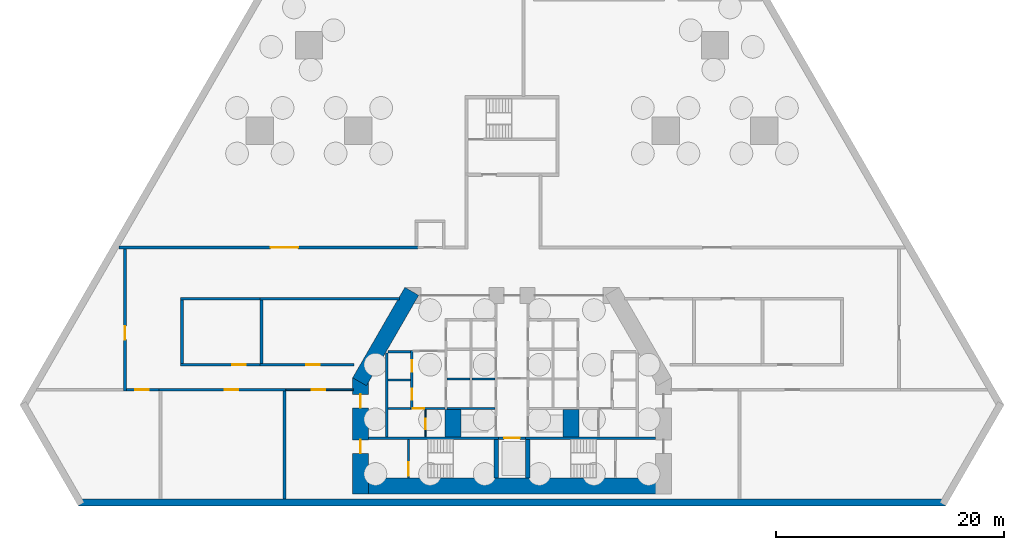
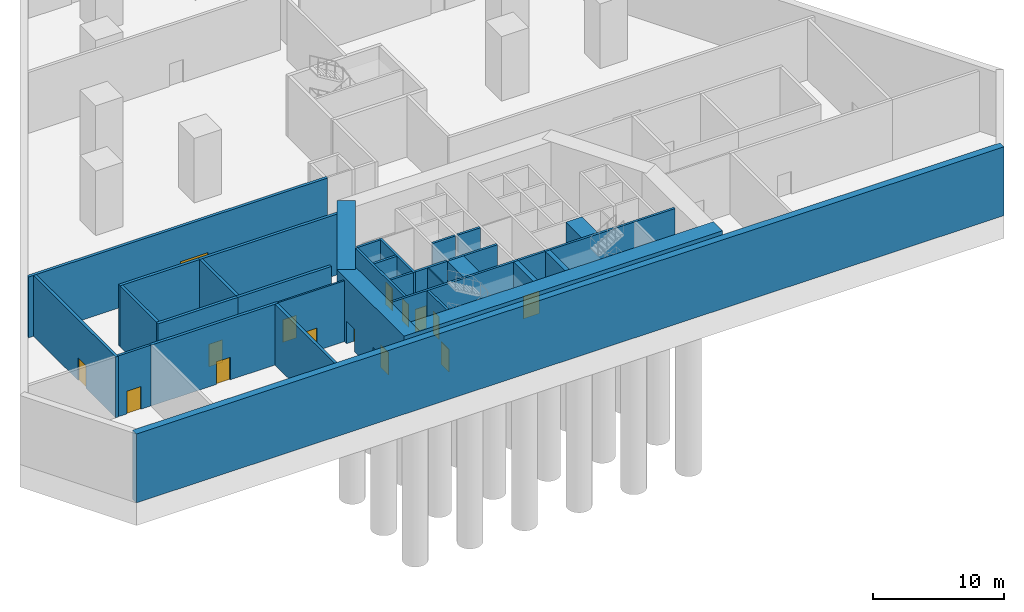
# One storey, part 2 of 8: 34 walls, 15 doors, 15 openings.
"""IFC4 building model written with IfcOpenShell, lengths in metres."""

from ifc_helpers import new_model, si_unit, direction, frame, frame_2d, origin, place, context, subcontext, project, spatial, rectangle, extrude, material, layer, layer_set, type_object, element, fill, save


model = new_model("IFC4")

# Units and contexts
model_context = context("Model", 3, precision=1e-05, world=origin(), true_north=direction((0.0, 1.0)))
body_context = subcontext(model_context, "Body", "Model", "MODEL_VIEW")
ifc_project = project(units=[si_unit("LENGTHUNIT", "METRE"), si_unit("AREAUNIT", "SQUARE_METRE"), si_unit("VOLUMEUNIT", "CUBIC_METRE"), si_unit("PLANEANGLEUNIT", "RADIAN"), si_unit("MASSUNIT", "GRAM", prefix="KILO")], contexts=[model_context])

# Site, building, storey
site_placement = place(None, origin())
site = spatial("IfcSite", under=ifc_project, at=site_placement, CompositionType="ELEMENT")
building_placement = place(site_placement, origin())
building = spatial("IfcBuilding", under=site, at=building_placement, Name="Fogline Exchange Tower", CompositionType="ELEMENT")
storey_placement = place(building_placement, frame((0.0, 0.0, -14.0)))
storey = spatial("IfcBuildingStorey", under=building, at=storey_placement, Name="B2", CompositionType="ELEMENT", Elevation=-14.0)

# Wall, opening, door
ifc_material_1 = material(Name="Blockwork partition", Category="masonry")
ifc_layer_1 = layer(ifc_material_1, 0.10009765625)
ifc_layer_set_1 = layer_set([ifc_layer_1], Name="CW10")
wall_type_1 = type_object("IfcWallType", Name="CW10", PredefinedType="PARTITIONING", material=ifc_layer_set_1)
wall_1_placement = place(storey_placement, frame((-7.60009765625, 5.85009765625, 0.0), z_axis=(0.0, 0.0, 1.0), x_axis=(0.0, 1.0, 0.0)))
wall_1 = element("IfcWall", 1, at=wall_1_placement, inside=storey, type_object=wall_type_1, Name="WC partition", PredefinedType="PARTITIONING", context=body_context, shape_type="SweptSolid", body=[
    extrude(rectangle(XDim=2.39990234375, YDim=0.10009765625, at=frame_2d((1.199951171875, 0.0))), origin(), (0.0, 0.0, 1.0), 5.64990234375),
])
opening_1_placement = place(wall_1_placement, frame((0.699951171875, 0.0, 0.0)))
opening_1 = element("IfcOpeningElement", 2, at=opening_1_placement, cuts=wall_1, Name="Opening B2-C019", PredefinedType="OPENING", context=body_context, shape_type="SweptSolid", body=[
    extrude(rectangle(XDim=0.89990234375, YDim=2.10009765625, at=frame_2d((0.449951171875, 1.050048828125))), frame((0.0, 0.06005859375, 0.0), z_axis=(0.0, -1.0, 0.0), x_axis=(1.0, 0.0, 0.0)), (0.0, 0.0, 1.0), 0.1201171875),
])
ifc_material_2 = material(Name="Steel and timber fire door", Category="steel")
door_type_1 = type_object("IfcDoorType", Name="D-CS1", OperationType="SINGLE_SWING_RIGHT", PredefinedType="DOOR", material=ifc_material_2)
door_1_placement = place(opening_1_placement, frame((0.89990234375, 0.0, 0.0), z_axis=(0.0, 0.0, 1.0), x_axis=(-1.0, 0.0, 0.0)))
door_1 = element("IfcDoor", 3, at=door_1_placement, inside=storey, type_object=door_type_1, Name="Door to Cleaner's Store", OperationType="SINGLE_SWING_RIGHT", OverallHeight=2.10009765625, OverallWidth=0.89990234375, PredefinedType="DOOR", context=body_context, shape_type="SweptSolid", body=[
    extrude(rectangle(XDim=0.89990234375, YDim=2.10009765625, at=frame_2d((0.449951171875, 1.050048828125))), frame((0.0, 0.02490234375, 0.0), z_axis=(0.0, -1.0, 0.0), x_axis=(1.0, 0.0, 0.0)), (0.0, 0.0, 1.0), 0.050048828125),
])
fill(opening_1, door_1)

# Walls
ifc_material_3 = material(Name="Concrete C60", Category="concrete")
ifc_layer_2 = layer(ifc_material_3, 1.39990234375)
ifc_layer_set_2 = layer_set([ifc_layer_2], Name="CW140")
wall_type_2 = type_object("IfcWallType", Name="CW140", PredefinedType="SOLIDWALL", material=ifc_layer_set_2)
for number, where, z_axis, x_axis, name in (
    (4, (-5.199951171875, 5.85009765625, 0.0), (0.0, 0.0, 1.0), (0.0, 1.0, 0.0), "Lift shaft block wall"),
    (5, (5.199951171875, 5.85009765625, 0.0), (0.0, 0.0, 1.0), (0.0, 1.0, 0.0), "Lift shaft block wall"),
):
    element("IfcWall", number, at=place(storey_placement, frame(where, z_axis=z_axis, x_axis=x_axis)), inside=storey, type_object=wall_type_2, Name=name, PredefinedType="SOLIDWALL", context=body_context, shape_type="SweptSolid", body=[
        extrude(rectangle(XDim=2.39990234375, YDim=1.39990234375, at=frame_2d((1.199951171875, 0.0))), origin(), (0.0, 0.0, 1.0), 5.64990234375),
    ])
ifc_material_4 = material(Name="Concrete C40", Category="concrete")
ifc_layer_3 = layer(ifc_material_4, 0.199951171875)
ifc_layer_set_3 = layer_set([ifc_layer_3], Name="CW20")
wall_type_3 = type_object("IfcWallType", Name="CW20", PredefinedType="SOLIDWALL", material=ifc_layer_set_3)
wall_2_placement = place(storey_placement, frame((-11.0, 5.85009765625, 0.0), z_axis=(0.0, 0.0, 1.0), x_axis=(0.0, 1.0, 0.0)))
element("IfcWall", 6, at=wall_2_placement, inside=storey, type_object=wall_type_3, Name="Service room wall", PredefinedType="SOLIDWALL", context=body_context, shape_type="SweptSolid", body=[
    extrude(rectangle(XDim=7.39990234375, YDim=0.199951171875, at=frame_2d((3.699951171875, 0.0))), origin(), (0.0, 0.0, 1.0), 5.64990234375),
])

# Wall, opening, door
wall_3_placement = place(storey_placement, frame((-8.699951171875, 8.35009765625, 0.0), z_axis=(0.0, 0.0, 1.0), x_axis=(1.0, 0.0, 0.0)))
wall_3 = element("IfcWall", 7, at=wall_3_placement, inside=storey, type_object=wall_type_3, Name="WC wall", PredefinedType="SOLIDWALL", context=body_context, shape_type="SweptSolid", body=[
    extrude(rectangle(XDim=2.800048828125, YDim=0.199951171875, at=frame_2d((1.39990234375, 0.0))), origin(), (0.0, 0.0, 1.0), 5.64990234375),
])
opening_2_placement = place(wall_3_placement, origin())
opening_2 = element("IfcOpeningElement", 8, at=opening_2_placement, cuts=wall_3, Name="Opening B2-C018", PredefinedType="OPENING", context=body_context, shape_type="SweptSolid", body=[
    extrude(rectangle(XDim=1.0, YDim=2.10009765625, at=frame_2d((0.5, 1.050048828125))), frame((0.0, 0.10986328125, 0.0), z_axis=(0.0, -1.0, 0.0), x_axis=(1.0, 0.0, 0.0)), (0.0, 0.0, 1.0), 0.219970703125),
])
door_type_2 = type_object("IfcDoorType", Name="D-WC1", OperationType="SINGLE_SWING_LEFT", PredefinedType="DOOR", material=ifc_material_2)
door_2_placement = place(opening_2_placement, frame((1.0, 0.0, 0.0), z_axis=(0.0, 0.0, 1.0), x_axis=(-1.0, 0.0, 0.0)))
door_2 = element("IfcDoor", 9, at=door_2_placement, inside=storey, type_object=door_type_2, Name="Door to Men's WC", OperationType="SINGLE_SWING_LEFT", OverallHeight=2.10009765625, OverallWidth=1.0, PredefinedType="DOOR", context=body_context, shape_type="SweptSolid", body=[
    extrude(rectangle(XDim=1.0, YDim=2.10009765625, at=frame_2d((0.5, 1.050048828125))), frame((0.0, 0.02490234375, 0.0), z_axis=(0.0, -1.0, 0.0), x_axis=(1.0, 0.0, 0.0)), (0.0, 0.0, 1.0), 0.050048828125),
])
fill(opening_2, door_2)

# Wall
ifc_layer_4 = layer(ifc_material_4, 0.199951171875)
ifc_layer_set_4 = layer_set([ifc_layer_4], Name="CW20R")
wall_type_4 = type_object("IfcWallType", Name="CW20R", PredefinedType="SOLIDWALL", material=ifc_layer_set_4)
wall_4_placement = place(storey_placement, frame((-12.60009765625, 5.75, 0.0), z_axis=(0.0, 0.0, 1.0), x_axis=(1.0, 0.0, 0.0)))
element("IfcWall", 10, at=wall_4_placement, inside=storey, type_object=wall_type_4, Name="Stair enclosure wall", PredefinedType="SOLIDWALL", context=body_context, shape_type="SweptSolid", body=[
    extrude(rectangle(XDim=11.400146484375, YDim=0.199951171875, at=frame_2d((5.7001953125, 0.0))), origin(), (0.0, 0.0, 1.0), 5.64990234375),
])

# Wall, opening, door
wall_5_placement = place(storey_placement, frame((-1.199951171875, 5.75, 0.0), z_axis=(0.0, 0.0, 1.0), x_axis=(1.0, 0.0, 0.0)))
wall_5 = element("IfcWall", 11, at=wall_5_placement, inside=storey, type_object=wall_type_4, Name="Stair enclosure wall", PredefinedType="SOLIDWALL", context=body_context, shape_type="SweptSolid", body=[
    extrude(rectangle(XDim=2.39990234375, YDim=0.199951171875, at=frame_2d((1.199951171875, 0.0))), origin(), (0.0, 0.0, 1.0), 5.64990234375),
])
opening_3_placement = place(wall_5_placement, frame((0.5, 0.0, 0.0)))
opening_3 = element("IfcOpeningElement", 12, at=opening_3_placement, cuts=wall_5, Name="Opening B2-LD03", PredefinedType="OPENING", context=body_context, shape_type="SweptSolid", body=[
    extrude(rectangle(XDim=1.39990234375, YDim=2.10009765625, at=frame_2d((0.699951171875, 1.050048828125))), frame((0.0, 0.10986328125, 0.0), z_axis=(0.0, -1.0, 0.0), x_axis=(1.0, 0.0, 0.0)), (0.0, 0.0, 1.0), 0.219970703125),
])
door_type_3 = type_object("IfcDoorType", Name="LD3", OperationType="SLIDING_TO_LEFT", PredefinedType="DOOR", material=ifc_material_2)
door_3_placement = place(opening_3_placement, origin())
door_3 = element("IfcDoor", 13, at=door_3_placement, inside=storey, type_object=door_type_3, Name="Landing door GL1", OperationType="SLIDING_TO_LEFT", OverallHeight=2.10009765625, OverallWidth=1.39990234375, PredefinedType="DOOR", context=body_context, shape_type="SweptSolid", body=[
    extrude(rectangle(XDim=1.39990234375, YDim=2.10009765625, at=frame_2d((0.699951171875, 1.050048828125))), frame((0.0, 0.02490234375, 0.0), z_axis=(0.0, -1.0, 0.0), x_axis=(1.0, 0.0, 0.0)), (0.0, 0.0, 1.0), 0.050048828125),
])
fill(opening_3, door_3)

# Wall
wall_6_placement = place(storey_placement, frame((1.199951171875, 5.75, 0.0), z_axis=(0.0, 0.0, 1.0), x_axis=(1.0, 0.0, 0.0)))
element("IfcWall", 14, at=wall_6_placement, inside=storey, type_object=wall_type_4, Name="Stair enclosure wall", PredefinedType="SOLIDWALL", context=body_context, shape_type="SweptSolid", body=[
    extrude(rectangle(XDim=11.400146484375, YDim=0.199951171875, at=frame_2d((5.7001953125, 0.0))), origin(), (0.0, 0.0, 1.0), 5.64990234375),
])

# Wall, opening, door
wall_7_placement = place(storey_placement, frame((-9.10009765625, 2.25, 0.0), z_axis=(0.0, 0.0, 1.0), x_axis=(0.0, 1.0, 0.0)))
wall_7 = element("IfcWall", 15, at=wall_7_placement, inside=storey, type_object=wall_type_4, Name="Stair enclosure wall", PredefinedType="SOLIDWALL", context=body_context, shape_type="SweptSolid", body=[
    extrude(rectangle(XDim=3.39990234375, YDim=0.199951171875, at=frame_2d((1.699951171875, 0.0))), origin(), (0.0, 0.0, 1.0), 5.64990234375),
])
opening_4_placement = place(wall_7_placement, frame((0.199951171875, 0.0, 0.0)))
opening_4 = element("IfcOpeningElement", 16, at=opening_4_placement, cuts=wall_7, Name="Opening B2-C021", PredefinedType="OPENING", context=body_context, shape_type="SweptSolid", body=[
    extrude(rectangle(XDim=1.199951171875, YDim=2.10009765625, at=frame_2d((0.60009765625, 1.050048828125))), frame((0.0, 0.10986328125, 0.0), z_axis=(0.0, -1.0, 0.0), x_axis=(1.0, 0.0, 0.0)), (0.0, 0.0, 1.0), 0.219970703125),
])
door_type_4 = type_object("IfcDoorType", Name="D-ST1", OperationType="SINGLE_SWING_LEFT", PredefinedType="DOOR", material=ifc_material_2)
door_4_placement = place(opening_4_placement, frame((1.199951171875, 0.0, 0.0), z_axis=(0.0, 0.0, 1.0), x_axis=(-1.0, 0.0, 0.0)))
door_4 = element("IfcDoor", 17, at=door_4_placement, inside=storey, type_object=door_type_4, Name="Stair door ST1", OperationType="SINGLE_SWING_RIGHT", OverallHeight=2.10009765625, OverallWidth=1.199951171875, PredefinedType="DOOR", context=body_context, shape_type="SweptSolid", body=[
    extrude(rectangle(XDim=1.199951171875, YDim=2.10009765625, at=frame_2d((0.60009765625, 1.050048828125))), frame((0.0, 0.02490234375, 0.0), z_axis=(0.0, -1.0, 0.0), x_axis=(1.0, 0.0, 0.0)), (0.0, 0.0, 1.0), 0.050048828125),
])
fill(opening_4, door_4)

# Wall, openings, doors
ifc_layer_5 = layer(ifc_material_4, 0.199951171875)
ifc_layer_set_5 = layer_set([ifc_layer_5], Name="CW20S")
wall_type_5 = type_object("IfcWallType", Name="CW20S", PredefinedType="SOLIDWALL", material=ifc_layer_set_5)
wall_8_placement = place(storey_placement, frame((-8.800048828125, 8.25, 0.0), z_axis=(0.0, 0.0, 1.0), x_axis=(0.0, 1.0, 0.0)))
wall_8 = element("IfcWall", 18, at=wall_8_placement, inside=storey, type_object=wall_type_5, Name="Lift shaft wall", PredefinedType="SOLIDWALL", context=body_context, shape_type="SweptSolid", body=[
    extrude(rectangle(XDim=5.199951171875, YDim=0.199951171875, at=frame_2d((2.60009765625, 0.0))), origin(), (0.0, 0.0, 1.0), 5.64990234375),
])
opening_5_placement = place(wall_8_placement, frame((0.85009765625, 0.0, 0.0)))
opening_5 = element("IfcOpeningElement", 19, at=opening_5_placement, cuts=wall_8, Name="Opening B2-C001", PredefinedType="OPENING", context=body_context, shape_type="SweptSolid", body=[
    extrude(rectangle(XDim=1.0, YDim=2.10009765625, at=frame_2d((0.5, 1.050048828125))), frame((0.0, 0.10986328125, 0.0), z_axis=(0.0, -1.0, 0.0), x_axis=(1.0, 0.0, 0.0)), (0.0, 0.0, 1.0), 0.219970703125),
])
opening_6_placement = place(wall_8_placement, frame((3.35009765625, 0.0, 0.0)))
opening_6 = element("IfcOpeningElement", 20, at=opening_6_placement, cuts=wall_8, Name="Opening B2-C002", PredefinedType="OPENING", context=body_context, shape_type="SweptSolid", body=[
    extrude(rectangle(XDim=1.0, YDim=2.10009765625, at=frame_2d((0.5, 1.050048828125))), frame((0.0, 0.10986328125, 0.0), z_axis=(0.0, -1.0, 0.0), x_axis=(1.0, 0.0, 0.0)), (0.0, 0.0, 1.0), 0.219970703125),
])
door_type_5 = type_object("IfcDoorType", Name="D-RM1", OperationType="SINGLE_SWING_LEFT", PredefinedType="DOOR", material=ifc_material_2)
door_5_placement = place(opening_5_placement, origin())
door_5 = element("IfcDoor", 21, at=door_5_placement, inside=storey, type_object=door_type_5, Name="Door to Riser Room", OperationType="SINGLE_SWING_RIGHT", OverallHeight=2.10009765625, OverallWidth=1.0, PredefinedType="DOOR", context=body_context, shape_type="SweptSolid", body=[
    extrude(rectangle(XDim=1.0, YDim=2.10009765625, at=frame_2d((0.5, 1.050048828125))), frame((0.0, 0.02490234375, 0.0), z_axis=(0.0, -1.0, 0.0), x_axis=(1.0, 0.0, 0.0)), (0.0, 0.0, 1.0), 0.050048828125),
])
fill(opening_5, door_5)
door_6_placement = place(opening_6_placement, origin())
door_6 = element("IfcDoor", 22, at=door_6_placement, inside=storey, type_object=door_type_5, Name="Door to Plant Room", OperationType="SINGLE_SWING_RIGHT", OverallHeight=2.10009765625, OverallWidth=1.0, PredefinedType="DOOR", context=body_context, shape_type="SweptSolid", body=[
    extrude(rectangle(XDim=1.0, YDim=2.10009765625, at=frame_2d((0.5, 1.050048828125))), frame((0.0, 0.02490234375, 0.0), z_axis=(0.0, -1.0, 0.0), x_axis=(1.0, 0.0, 0.0)), (0.0, 0.0, 1.0), 0.050048828125),
])
fill(opening_6, door_6)

# Walls
wall_9_placement = place(storey_placement, frame((-10.89990234375, 8.35009765625, 0.0), z_axis=(0.0, 0.0, 1.0), x_axis=(1.0, 0.0, 0.0)))
element("IfcWall", 23, at=wall_9_placement, inside=storey, type_object=wall_type_5, Name="Lift shaft wall", PredefinedType="SOLIDWALL", context=body_context, shape_type="SweptSolid", body=[
    extrude(rectangle(XDim=2.0, YDim=0.199951171875, at=frame_2d((1.0, 0.0))), origin(), (0.0, 0.0, 1.0), 5.64990234375),
])
wall_10_placement = place(storey_placement, frame((-5.699951171875, 8.35009765625, 0.0), z_axis=(0.0, 0.0, 1.0), x_axis=(1.0, 0.0, 0.0)))
element("IfcWall", 24, at=wall_10_placement, inside=storey, type_object=wall_type_5, Name="Lift shaft wall", PredefinedType="SOLIDWALL", context=body_context, shape_type="SweptSolid", body=[
    extrude(rectangle(XDim=4.199951171875, YDim=0.199951171875, at=frame_2d((2.10009765625, 0.0))), origin(), (0.0, 0.0, 1.0), 5.64990234375),
])
for number, where, z_axis, x_axis, name in (
    (25, (-10.89990234375, 10.85009765625, 0.0), (0.0, 0.0, 1.0), (1.0, 0.0, 0.0), "Lift shaft wall"),
    (26, (-10.89990234375, 13.35009765625, 0.0), (0.0, 0.0, 1.0), (1.0, 0.0, 0.0), "Lift shaft wall"),
    (27, (-5.699951171875, 10.949951171875, 0.0), (0.0, 0.0, 1.0), (1.0, 0.0, 0.0), "Lift shaft wall"),
    (28, (-3.5, 10.949951171875, 0.0), (0.0, 0.0, 1.0), (1.0, 0.0, 0.0), "Lift shaft wall"),
):
    element("IfcWall", number, at=place(storey_placement, frame(where, z_axis=z_axis, x_axis=x_axis)), inside=storey, type_object=wall_type_5, Name=name, PredefinedType="SOLIDWALL", context=body_context, shape_type="SweptSolid", body=[
        extrude(rectangle(XDim=2.0, YDim=0.199951171875, at=frame_2d((1.0, 0.0))), origin(), (0.0, 0.0, 1.0), 5.64990234375),
    ])
ifc_layer_6 = layer(ifc_material_4, 0.39990234375)
ifc_layer_set_6 = layer_set([ifc_layer_6], Name="CW40R")
wall_type_6 = type_object("IfcWallType", Name="CW40R", PredefinedType="SOLIDWALL", material=ifc_layer_set_6)
for number, where, z_axis, x_axis, name in (
    (29, (-1.39990234375, 2.25, 0.0), (0.0, 0.0, 1.0), (0.0, 1.0, 0.0), "Stair and lift shaft wall"),
    (30, (1.39990234375, 2.25, 0.0), (0.0, 0.0, 1.0), (0.0, 1.0, 0.0), "Stair and lift shaft wall"),
):
    element("IfcWall", number, at=place(storey_placement, frame(where, z_axis=z_axis, x_axis=x_axis)), inside=storey, type_object=wall_type_6, Name=name, PredefinedType="SOLIDWALL", context=body_context, shape_type="SweptSolid", body=[
        extrude(rectangle(XDim=3.39990234375, YDim=0.39990234375, at=frame_2d((1.699951171875, 0.0))), origin(), (0.0, 0.0, 1.0), 5.64990234375),
    ])

# Wall, opening, door
ifc_material_5 = material(Name="Plasterboard on steel stud", Category="steel")
ifc_layer_7 = layer(ifc_material_5, 0.14990234375)
ifc_layer_set_7 = layer_set([ifc_layer_7], Name="PP1")
wall_type_7 = type_object("IfcWallType", Name="PP1", PredefinedType="PARTITIONING", material=ifc_layer_set_7)
wall_11_placement = place(storey_placement, frame((-19.875, 10.0, 0.0), z_axis=(0.0, 0.0, 1.0), x_axis=(1.0, 0.0, 0.0)))
wall_11 = element("IfcWall", 31, at=wall_11_placement, inside=storey, type_object=wall_type_7, Name="PP1 partition", PredefinedType="PARTITIONING", context=body_context, shape_type="SweptSolid", body=[
    extrude(rectangle(XDim=5.919921875, YDim=0.14990234375, at=frame_2d((2.9599609375, 0.0))), origin(), (0.0, 0.0, 1.0), 5.64990234375),
])
opening_7_placement = place(wall_11_placement, frame((2.27490234375, 0.0, 0.0)))
opening_7 = element("IfcOpeningElement", 32, at=opening_7_placement, cuts=wall_11, Name="Opening B2-D001", PredefinedType="OPENING", context=body_context, shape_type="SweptSolid", body=[
    extrude(rectangle(XDim=1.199951171875, YDim=2.10009765625, at=frame_2d((0.60009765625, 1.050048828125))), frame((0.0, 0.0849609375, 0.0), z_axis=(0.0, -1.0, 0.0), x_axis=(1.0, 0.0, 0.0)), (0.0, 0.0, 1.0), 0.169921875),
])
ifc_material_6 = material(Name="Steel Q235B", Category="steel")
door_type_6 = type_object("IfcDoorType", Name="PD7", OperationType="SINGLE_SWING_LEFT", PredefinedType="DOOR", material=ifc_material_6)
door_7_placement = place(opening_7_placement, frame((1.199951171875, 0.0, 0.0), z_axis=(0.0, 0.0, 1.0), x_axis=(-1.0, 0.0, 0.0)))
door_7 = element("IfcDoor", 33, at=door_7_placement, inside=storey, type_object=door_type_6, Name="B2-D001", OperationType="SINGLE_SWING_RIGHT", OverallHeight=2.10009765625, OverallWidth=1.199951171875, PredefinedType="DOOR", context=body_context, shape_type="SweptSolid", body=[
    extrude(rectangle(XDim=1.199951171875, YDim=2.10009765625, at=frame_2d((0.60009765625, 1.050048828125))), frame((0.0, 0.02490234375, 0.0), z_axis=(0.0, -1.0, 0.0), x_axis=(1.0, 0.0, 0.0)), (0.0, 0.0, 1.0), 0.050048828125),
])
fill(opening_7, door_7)

ifc_material_7 = material(Name="Concrete block masonry", Category="masonry")
ifc_layer_8 = layer(ifc_material_7, 0.199951171875)
ifc_layer_set_8 = layer_set([ifc_layer_8], Name="PP2")
wall_type_8 = type_object("IfcWallType", Name="PP2", PredefinedType="PARTITIONING", material=ifc_layer_set_8)
wall_12_placement = place(storey_placement, frame((-31.02490234375, 10.0, 0.0), z_axis=(0.0, 0.0, 1.0), x_axis=(-1.0, 0.0, 0.0)))
wall_12 = element("IfcWall", 34, at=wall_12_placement, inside=storey, type_object=wall_type_8, Name="PP2 partition", PredefinedType="PARTITIONING", context=body_context, shape_type="SweptSolid", body=[
    extrude(rectangle(XDim=2.85009765625, YDim=0.199951171875, at=frame_2d((1.425048828125, 0.0))), origin(), (0.0, 0.0, 1.0), 5.64990234375),
])
opening_8_placement = place(wall_12_placement, frame((0.875, 0.0, 0.0)))
opening_8 = element("IfcOpeningElement", 35, at=opening_8_placement, cuts=wall_12, Name="Opening B2-D004", PredefinedType="OPENING", context=body_context, shape_type="SweptSolid", body=[
    extrude(rectangle(XDim=1.199951171875, YDim=2.10009765625, at=frame_2d((0.60009765625, 1.050048828125))), frame((0.0, 0.10986328125, 0.0), z_axis=(0.0, -1.0, 0.0), x_axis=(1.0, 0.0, 0.0)), (0.0, 0.0, 1.0), 0.219970703125),
])
door_8_placement = place(opening_8_placement, origin())
door_8 = element("IfcDoor", 36, at=door_8_placement, inside=storey, type_object=door_type_6, Name="B2-D004", OperationType="SINGLE_SWING_RIGHT", OverallHeight=2.10009765625, OverallWidth=1.199951171875, PredefinedType="DOOR", context=body_context, shape_type="SweptSolid", body=[
    extrude(rectangle(XDim=1.199951171875, YDim=2.10009765625, at=frame_2d((0.60009765625, 1.050048828125))), frame((0.0, 0.02490234375, 0.0), z_axis=(0.0, -1.0, 0.0), x_axis=(1.0, 0.0, 0.0)), (0.0, 0.0, 1.0), 0.050048828125),
])
fill(opening_8, door_8)

# Wall
ifc_layer_9 = layer(ifc_material_4, 0.25)
ifc_layer_set_9 = layer_set([ifc_layer_9], Name="PP3")
wall_type_9 = type_object("IfcWallType", Name="PP3", PredefinedType="SOLIDWALL", material=ifc_layer_set_9)
wall_13_placement = place(storey_placement, frame((-20.0, 0.39990234375, 0.0), z_axis=(0.0, 0.0, 1.0), x_axis=(0.0, 1.0, 0.0)))
element("IfcWall", 37, at=wall_13_placement, inside=storey, type_object=wall_type_9, Name="PP3 partition", PredefinedType="SOLIDWALL", context=body_context, shape_type="SweptSolid", body=[
    extrude(rectangle(XDim=9.47509765625, YDim=0.25, at=frame_2d((4.737548828125, 0.0))), origin(), (0.0, 0.0, 1.0), 5.64990234375),
])

# Wall, opening, door
wall_14_placement = place(storey_placement, frame((-34.0, 9.875, 0.0), z_axis=(0.0, 0.0, 1.0), x_axis=(0.0, 1.0, 0.0)))
wall_14 = element("IfcWall", 38, at=wall_14_placement, inside=storey, type_object=wall_type_9, Name="PP3 partition", PredefinedType="SOLIDWALL", context=body_context, shape_type="SweptSolid", body=[
    extrude(rectangle(XDim=12.5, YDim=0.25, at=frame_2d((6.25, 0.0))), origin(), (0.0, 0.0, 1.0), 5.64990234375),
])
opening_9_placement = place(wall_14_placement, frame((4.52490234375, 0.0, 0.0)))
opening_9 = element("IfcOpeningElement", 39, at=opening_9_placement, cuts=wall_14, Name="Opening B2-D011", PredefinedType="OPENING", context=body_context, shape_type="SweptSolid", body=[
    extrude(rectangle(XDim=1.199951171875, YDim=2.10009765625, at=frame_2d((0.60009765625, 1.050048828125))), frame((0.0, 0.135009765625, 0.0), z_axis=(0.0, -1.0, 0.0), x_axis=(1.0, 0.0, 0.0)), (0.0, 0.0, 1.0), 0.27001953125),
])
door_9_placement = place(opening_9_placement, origin())
door_9 = element("IfcDoor", 40, at=door_9_placement, inside=storey, type_object=door_type_6, Name="B2-D011", OperationType="SINGLE_SWING_LEFT", OverallHeight=2.10009765625, OverallWidth=1.199951171875, PredefinedType="DOOR", context=body_context, shape_type="SweptSolid", body=[
    extrude(rectangle(XDim=1.199951171875, YDim=2.10009765625, at=frame_2d((0.60009765625, 1.050048828125))), frame((0.0, 0.02490234375, 0.0), z_axis=(0.0, -1.0, 0.0), x_axis=(1.0, 0.0, 0.0)), (0.0, 0.0, 1.0), 0.050048828125),
])
fill(opening_9, door_9)

wall_15_placement = place(storey_placement, frame((-19.875, 10.0, 0.0), z_axis=(0.0, 0.0, 1.0), x_axis=(-1.0, 0.0, 0.0)))
wall_15 = element("IfcWall", 41, at=wall_15_placement, inside=storey, type_object=wall_type_9, Name="PP3 partition", PredefinedType="SOLIDWALL", context=body_context, shape_type="SweptSolid", body=[
    extrude(rectangle(XDim=11.14990234375, YDim=0.25, at=frame_2d((5.574951171875, 0.0))), origin(), (0.0, 0.0, 1.0), 5.64990234375),
])
opening_10_placement = place(wall_15_placement, frame((4.175048828125, 0.0, 0.0)))
opening_10 = element("IfcOpeningElement", 42, at=opening_10_placement, cuts=wall_15, Name="Opening B2-D003", PredefinedType="OPENING", context=body_context, shape_type="SweptSolid", body=[
    extrude(rectangle(XDim=1.199951171875, YDim=2.10009765625, at=frame_2d((0.60009765625, 1.050048828125))), frame((0.0, 0.135009765625, 0.0), z_axis=(0.0, -1.0, 0.0), x_axis=(1.0, 0.0, 0.0)), (0.0, 0.0, 1.0), 0.27001953125),
])
door_10_placement = place(opening_10_placement, origin())
door_10 = element("IfcDoor", 43, at=door_10_placement, inside=storey, type_object=door_type_6, Name="B2-D003", OperationType="SINGLE_SWING_LEFT", OverallHeight=2.10009765625, OverallWidth=1.199951171875, PredefinedType="DOOR", context=body_context, shape_type="SweptSolid", body=[
    extrude(rectangle(XDim=1.199951171875, YDim=2.10009765625, at=frame_2d((0.60009765625, 1.050048828125))), frame((0.0, 0.02490234375, 0.0), z_axis=(0.0, -1.0, 0.0), x_axis=(1.0, 0.0, 0.0)), (0.0, 0.0, 1.0), 0.050048828125),
])
fill(opening_10, door_10)

wall_16_placement = place(storey_placement, frame((-29.125, 12.199951171875, 0.0), z_axis=(0.0, 0.0, 1.0), x_axis=(1.0, 0.0, 0.0)))
wall_16 = element("IfcWall", 44, at=wall_16_placement, inside=storey, type_object=wall_type_9, Name="PP3 partition", PredefinedType="SOLIDWALL", context=body_context, shape_type="SweptSolid", body=[
    extrude(rectangle(XDim=7.0, YDim=0.25, at=frame_2d((3.5, 0.0))), origin(), (0.0, 0.0, 1.0), 5.64990234375),
])
opening_11_placement = place(wall_16_placement, frame((4.52490234375, 0.0, 0.0)))
opening_11 = element("IfcOpeningElement", 45, at=opening_11_placement, cuts=wall_16, Name="Opening B2-D006", PredefinedType="OPENING", context=body_context, shape_type="SweptSolid", body=[
    extrude(rectangle(XDim=1.199951171875, YDim=2.10009765625, at=frame_2d((0.60009765625, 1.050048828125))), frame((0.0, 0.135009765625, 0.0), z_axis=(0.0, -1.0, 0.0), x_axis=(1.0, 0.0, 0.0)), (0.0, 0.0, 1.0), 0.27001953125),
])
door_11_placement = place(opening_11_placement, origin())
door_11 = element("IfcDoor", 46, at=door_11_placement, inside=storey, type_object=door_type_6, Name="B2-D006", OperationType="SINGLE_SWING_RIGHT", OverallHeight=2.10009765625, OverallWidth=1.199951171875, PredefinedType="DOOR", context=body_context, shape_type="SweptSolid", body=[
    extrude(rectangle(XDim=1.199951171875, YDim=2.10009765625, at=frame_2d((0.60009765625, 1.050048828125))), frame((0.0, 0.02490234375, 0.0), z_axis=(0.0, -1.0, 0.0), x_axis=(1.0, 0.0, 0.0)), (0.0, 0.0, 1.0), 0.050048828125),
])
fill(opening_11, door_11)

wall_17_placement = place(storey_placement, frame((-22.125, 12.199951171875, 0.0), z_axis=(0.0, 0.0, 1.0), x_axis=(1.0, 0.0, 0.0)))
wall_17 = element("IfcWall", 47, at=wall_17_placement, inside=storey, type_object=wall_type_9, Name="PP3 partition", PredefinedType="SOLIDWALL", context=body_context, shape_type="SweptSolid", body=[
    extrude(rectangle(XDim=8.25, YDim=0.25, at=frame_2d((4.125, 0.0))), origin(), (0.0, 0.0, 1.0), 5.64990234375),
])
opening_12_placement = place(wall_17_placement, frame((4.02490234375, 0.0, 0.0)))
opening_12 = element("IfcOpeningElement", 48, at=opening_12_placement, cuts=wall_17, Name="Opening B2-D007", PredefinedType="OPENING", context=body_context, shape_type="SweptSolid", body=[
    extrude(rectangle(XDim=1.199951171875, YDim=2.10009765625, at=frame_2d((0.60009765625, 1.050048828125))), frame((0.0, 0.135009765625, 0.0), z_axis=(0.0, -1.0, 0.0), x_axis=(1.0, 0.0, 0.0)), (0.0, 0.0, 1.0), 0.27001953125),
])
door_12_placement = place(opening_12_placement, origin())
door_12 = element("IfcDoor", 49, at=door_12_placement, inside=storey, type_object=door_type_6, Name="B2-D007", OperationType="SINGLE_SWING_RIGHT", OverallHeight=2.10009765625, OverallWidth=1.199951171875, PredefinedType="DOOR", context=body_context, shape_type="SweptSolid", body=[
    extrude(rectangle(XDim=1.199951171875, YDim=2.10009765625, at=frame_2d((0.60009765625, 1.050048828125))), frame((0.0, 0.02490234375, 0.0), z_axis=(0.0, -1.0, 0.0), x_axis=(1.0, 0.0, 0.0)), (0.0, 0.0, 1.0), 0.050048828125),
])
fill(opening_12, door_12)

# Walls
for number, where, z_axis, x_axis, name in (
    (50, (-29.0, 17.875, 0.0), (0.0, 0.0, 1.0), (0.0, -1.0, 0.0), "PP3 partition"),
    (51, (-22.0, 17.875, 0.0), (0.0, 0.0, 1.0), (0.0, -1.0, 0.0), "PP3 partition"),
):
    element("IfcWall", number, at=place(storey_placement, frame(where, z_axis=z_axis, x_axis=x_axis)), inside=storey, type_object=wall_type_9, Name=name, PredefinedType="SOLIDWALL", context=body_context, shape_type="SweptSolid", body=[
        extrude(rectangle(XDim=5.550048828125, YDim=0.25, at=frame_2d((2.77490234375, 0.0))), origin(), (0.0, 0.0, 1.0), 5.64990234375),
    ])
wall_18_placement = place(storey_placement, frame((-22.125, 18.0, 0.0), z_axis=(0.0, 0.0, 1.0), x_axis=(-1.0, 0.0, 0.0)))
element("IfcWall", 52, at=wall_18_placement, inside=storey, type_object=wall_type_9, Name="PP3 partition", PredefinedType="SOLIDWALL", context=body_context, shape_type="SweptSolid", body=[
    extrude(rectangle(XDim=7.0, YDim=0.25, at=frame_2d((3.5, 0.0))), origin(), (0.0, 0.0, 1.0), 5.64990234375),
])
wall_19_placement = place(storey_placement, frame((-9.8984375, 18.0, 0.0), z_axis=(0.0, 0.0, 1.0), x_axis=(-1.0, 0.0, 0.0)))
element("IfcWall", 53, at=wall_19_placement, inside=storey, type_object=wall_type_9, Name="PP3 partition", PredefinedType="SOLIDWALL", context=body_context, shape_type="SweptSolid", body=[
    extrude(rectangle(XDim=12.2265625, YDim=0.25, at=frame_2d((6.11328125, 0.0))), origin(), (0.0, 0.0, 1.0), 5.64990234375),
])

# Wall, opening, door
wall_20_placement = place(storey_placement, frame((-34.547607421875, 22.5, 0.0), z_axis=(0.0, 0.0, 1.0), x_axis=(1.0, 0.0, 0.0)))
wall_20 = element("IfcWall", 54, at=wall_20_placement, inside=storey, type_object=wall_type_9, Name="PP3 partition", PredefinedType="SOLIDWALL", context=body_context, shape_type="SweptSolid", body=[
    extrude(rectangle(XDim=26.272705078125, YDim=0.25, at=frame_2d((13.13623046875, 0.0))), origin(), (0.0, 0.0, 1.0), 5.64990234375),
])
opening_13_placement = place(wall_20_placement, frame((13.34765625, 0.0, 0.0)))
opening_13 = element("IfcOpeningElement", 55, at=opening_13_placement, cuts=wall_20, Name="Opening B2-D013", PredefinedType="OPENING", context=body_context, shape_type="SweptSolid", body=[
    extrude(rectangle(XDim=2.39990234375, YDim=2.39990234375, at=frame_2d((1.199951171875, 1.199951171875))), frame((0.0, 0.135009765625, 0.0), z_axis=(0.0, -1.0, 0.0), x_axis=(1.0, 0.0, 0.0)), (0.0, 0.0, 1.0), 0.27001953125),
])
door_type_7 = type_object("IfcDoorType", Name="PD9", OperationType="DOUBLE_DOOR_SINGLE_SWING", PredefinedType="DOOR", material=ifc_material_6)
door_13_placement = place(opening_13_placement, origin())
door_13 = element("IfcDoor", 56, at=door_13_placement, inside=storey, type_object=door_type_7, Name="B2-D013", OperationType="DOUBLE_DOOR_SINGLE_SWING", OverallHeight=2.39990234375, OverallWidth=2.39990234375, PredefinedType="DOOR", context=body_context, shape_type="SweptSolid", body=[
    extrude(rectangle(XDim=2.39990234375, YDim=2.39990234375, at=frame_2d((1.199951171875, 1.199951171875))), frame((0.0, 0.02490234375, 0.0), z_axis=(0.0, -1.0, 0.0), x_axis=(1.0, 0.0, 0.0)), (0.0, 0.0, 1.0), 0.050048828125),
])
fill(opening_13, door_13)

# Walls
ifc_layer_10 = layer(ifc_material_4, 0.60009765625)
ifc_layer_set_10 = layer_set([ifc_layer_10], Name="RW01")
wall_type_10 = type_object("IfcWallType", Name="RW01", PredefinedType="SOLIDWALL", material=ifc_layer_set_10)
wall_21_placement = place(storey_placement, frame((-38.115478515625, 0.10009765625, -0.39990234375), z_axis=(0.0, 0.0, 1.0), x_axis=(1.0, 0.0, 0.0)))
element("IfcWall", 57, at=wall_21_placement, inside=storey, type_object=wall_type_10, Name="B2-W902", PredefinedType="SOLIDWALL", context=body_context, shape_type="SweptSolid", body=[
    extrude(rectangle(XDim=76.23095703125, YDim=0.60009765625, at=frame_2d((38.115478515625, 0.0))), origin(), (0.0, 0.0, 1.0), 6.39990234375),
])
ifc_layer_11 = layer(ifc_material_3, 1.39990234375)
ifc_layer_set_11 = layer_set([ifc_layer_11], Name="SW01")
wall_type_11 = type_object("IfcWallType", Name="SW01", PredefinedType="SHEAR", material=ifc_layer_set_11)
wall_22_placement = place(storey_placement, frame((-14.0, 1.550048828125, 0.0), z_axis=(0.0, 0.0, 1.0), x_axis=(1.0, 0.0, 0.0)))
element("IfcWall", 58, at=wall_22_placement, inside=storey, type_object=wall_type_11, Name="B2-W901", PredefinedType="SHEAR", context=body_context, shape_type="SweptSolid", body=[
    extrude(rectangle(XDim=28.0, YDim=1.39990234375, at=frame_2d((14.0, 0.0))), origin(), (0.0, 0.0, 1.0), 6.0),
])
wall_23_placement = place(storey_placement, frame((-8.805419921875, 18.64990234375, 0.0), z_axis=(0.0, 0.0, 1.0), x_axis=(-0.50000187635, -0.866024320471, 0.0)))
element("IfcWall", 59, at=wall_23_placement, inside=storey, type_object=wall_type_11, Name="B2-W905", PredefinedType="SHEAR", context=body_context, shape_type="SweptSolid", body=[
    extrude(rectangle(XDim=9.1767578125, YDim=1.39990234375, at=frame_2d((4.58837890625, 0.0))), origin(), (0.0, 0.0, 1.0), 6.0),
])

# Wall, openings, doors
wall_24_placement = place(storey_placement, frame((-13.300048828125, 11.052490234375, 0.0), z_axis=(0.0, 0.0, 1.0), x_axis=(0.0, -1.0, 0.0)))
wall_24 = element("IfcWall", 60, at=wall_24_placement, inside=storey, type_object=wall_type_11, Name="B2-W906", PredefinedType="SHEAR", context=body_context, shape_type="SweptSolid", body=[
    extrude(rectangle(XDim=10.202392578125, YDim=1.39990234375, at=frame_2d((5.10107421875, 0.0))), origin(), (0.0, 0.0, 1.0), 6.0),
])
opening_14_placement = place(wall_24_placement, frame((5.45263671875, 0.0, 0.0)))
opening_14 = element("IfcOpeningElement", 61, at=opening_14_placement, cuts=wall_24, Name="Opening B2-C020", PredefinedType="OPENING", context=body_context, shape_type="SweptSolid", body=[
    extrude(rectangle(XDim=1.199951171875, YDim=2.10009765625, at=frame_2d((0.60009765625, 1.050048828125))), frame((0.0, 0.7099609375, 0.0), z_axis=(0.0, -1.0, 0.0), x_axis=(1.0, 0.0, 0.0)), (0.0, 0.0, 1.0), 1.419921875),
])
opening_15_placement = place(wall_24_placement, frame((1.45263671875, 0.0, 0.0)))
opening_15 = element("IfcOpeningElement", 62, at=opening_15_placement, cuts=wall_24, Name="Opening B2-C022", PredefinedType="OPENING", context=body_context, shape_type="SweptSolid", body=[
    extrude(rectangle(XDim=1.199951171875, YDim=2.10009765625, at=frame_2d((0.60009765625, 1.050048828125))), frame((0.0, 0.7099609375, 0.0), z_axis=(0.0, -1.0, 0.0), x_axis=(1.0, 0.0, 0.0)), (0.0, 0.0, 1.0), 1.419921875),
])
door_type_8 = type_object("IfcDoorType", Name="D-FR1", OperationType="SINGLE_SWING_RIGHT", PredefinedType="DOOR", material=ifc_material_2)
door_14_placement = place(opening_14_placement, origin())
door_14 = element("IfcDoor", 63, at=door_14_placement, inside=storey, type_object=door_type_8, Name="Front room door ST1", OperationType="SINGLE_SWING_LEFT", OverallHeight=2.10009765625, OverallWidth=1.199951171875, PredefinedType="DOOR", context=body_context, shape_type="SweptSolid", body=[
    extrude(rectangle(XDim=1.199951171875, YDim=2.10009765625, at=frame_2d((0.60009765625, 1.050048828125))), frame((0.0, 0.02490234375, 0.0), z_axis=(0.0, -1.0, 0.0), x_axis=(1.0, 0.0, 0.0)), (0.0, 0.0, 1.0), 0.050048828125),
])
fill(opening_14, door_14)
door_type_9 = type_object("IfcDoorType", Name="D-SV1", OperationType="SINGLE_SWING_LEFT", PredefinedType="DOOR", material=ifc_material_2)
door_15_placement = place(opening_15_placement, origin())
door_15 = element("IfcDoor", 64, at=door_15_placement, inside=storey, type_object=door_type_9, Name="Service door W", OperationType="SINGLE_SWING_LEFT", OverallHeight=2.10009765625, OverallWidth=1.199951171875, PredefinedType="DOOR", context=body_context, shape_type="SweptSolid", body=[
    extrude(rectangle(XDim=1.199951171875, YDim=2.10009765625, at=frame_2d((0.60009765625, 1.050048828125))), frame((0.0, 0.02490234375, 0.0), z_axis=(0.0, -1.0, 0.0), x_axis=(1.0, 0.0, 0.0)), (0.0, 0.0, 1.0), 0.050048828125),
])
fill(opening_15, door_15)

save(model, "model.ifc")
